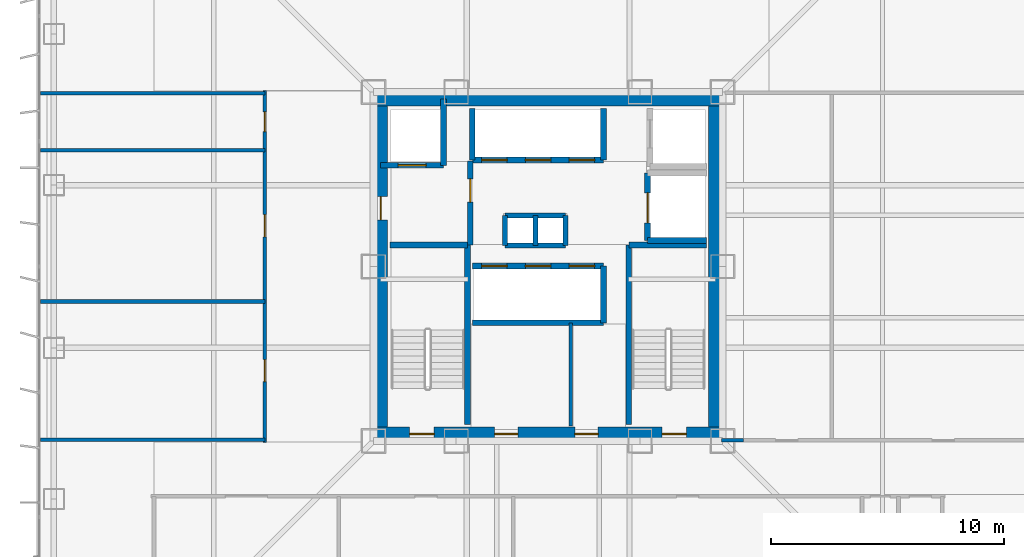
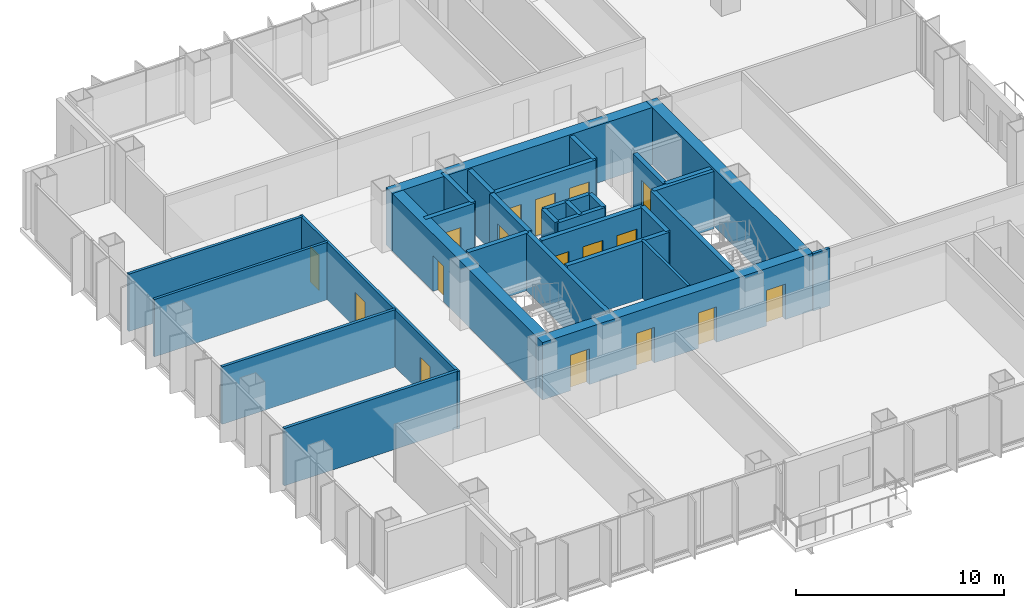
# One storey, part 13 of 18: 31 walls, 17 doors, 17 openings.
"""IFC4 building model written with IfcOpenShell, lengths in metres."""

from ifc_helpers import new_model, si_unit, direction, frame, frame_2d, origin, place, context, subcontext, project, spatial, rectangle, extrude, material, layer, layer_set, type_object, element, fill, save


model = new_model("IFC4")

# Units and contexts
model_context = context("Model", 3, precision=1e-05, world=origin(), true_north=direction((0.0, 1.0)))
body_context = subcontext(model_context, "Body", "Model", "MODEL_VIEW")
ifc_project = project(units=[si_unit("LENGTHUNIT", "METRE"), si_unit("AREAUNIT", "SQUARE_METRE"), si_unit("VOLUMEUNIT", "CUBIC_METRE"), si_unit("PLANEANGLEUNIT", "RADIAN"), si_unit("MASSUNIT", "GRAM", prefix="KILO")], contexts=[model_context])

# Site, building, storey
site_placement = place(None, origin())
site = spatial("IfcSite", under=ifc_project, at=site_placement, CompositionType="ELEMENT")
building_placement = place(site_placement, origin())
building = spatial("IfcBuilding", under=site, at=building_placement, Name="Trevonay Congress Spire", CompositionType="ELEMENT")
storey_placement = place(building_placement, frame((0.0, 0.0, 104.800048828125)))
storey = spatial("IfcBuildingStorey", under=building, at=storey_placement, Name="L26", CompositionType="ELEMENT", Elevation=104.800048828125)

# Wall, openings, doors
ifc_material_1 = material(Name="Concrete C60/75", Category="concrete")
ifc_layer_1 = layer(ifc_material_1, 0.60009765625, Name="Concrete C60/75")
ifc_layer_set_1 = layer_set([ifc_layer_1], Name="Concrete C60/75")
wall_type_1 = type_object("IfcWallType", Name="WAL-CORE-600", PredefinedType="SHEAR", material=ifc_layer_set_1)
wall_1_placement = place(storey_placement, frame((-7.5, -7.199951171875, 0.0), z_axis=(0.0, 0.0, 1.0), x_axis=(1.0, 0.0, 0.0)))
wall_1 = element("IfcWall", 1, at=wall_1_placement, inside=storey, type_object=wall_type_1, Name="L26 South structural core shear wall", PredefinedType="SHEAR", context=body_context, shape_type="SweptSolid", body=[
    extrude(rectangle(XDim=15.0, YDim=0.60009765625, at=frame_2d((7.5, 0.0))), origin(), (0.0, 0.0, 1.0), 3.35986328125),
])
opening_1_placement = place(wall_1_placement, frame((1.550048828125, 0.0, 0.0)))
opening_1 = element("IfcOpeningElement", 2, at=opening_1_placement, cuts=wall_1, Name="Opening D05", PredefinedType="OPENING", context=body_context, shape_type="SweptSolid", body=[
    extrude(rectangle(XDim=1.050048828125, YDim=2.080078125, at=frame_2d((0.52490234375, 1.0400390625))), frame((0.0, 0.31005859375, 0.0), z_axis=(0.0, -1.0, 0.0), x_axis=(1.0, 0.0, 0.0)), (0.0, 0.0, 1.0), 0.6201171875),
])
opening_2_placement = place(wall_1_placement, frame((12.39990234375, 0.0, 0.0)))
opening_2 = element("IfcOpeningElement", 3, at=opening_2_placement, cuts=wall_1, Name="Opening D05", PredefinedType="OPENING", context=body_context, shape_type="SweptSolid", body=[
    extrude(rectangle(XDim=1.050048828125, YDim=2.080078125, at=frame_2d((0.52490234375, 1.0400390625))), frame((0.0, 0.31005859375, 0.0), z_axis=(0.0, -1.0, 0.0), x_axis=(1.0, 0.0, 0.0)), (0.0, 0.0, 1.0), 0.6201171875),
])
opening_3_placement = place(wall_1_placement, frame((5.199951171875, 0.0, 0.0)))
opening_3 = element("IfcOpeningElement", 4, at=opening_3_placement, cuts=wall_1, Name="Opening D06", PredefinedType="OPENING", context=body_context, shape_type="SweptSolid", body=[
    extrude(rectangle(XDim=1.0, YDim=2.080078125, at=frame_2d((0.5, 1.0400390625))), frame((0.0, 0.31005859375, 0.0), z_axis=(0.0, -1.0, 0.0), x_axis=(1.0, 0.0, 0.0)), (0.0, 0.0, 1.0), 0.6201171875),
])
opening_4_placement = place(wall_1_placement, frame((8.64990234375, 0.0, 0.0)))
opening_4 = element("IfcOpeningElement", 5, at=opening_4_placement, cuts=wall_1, Name="Opening D06", PredefinedType="OPENING", context=body_context, shape_type="SweptSolid", body=[
    extrude(rectangle(XDim=1.0, YDim=2.080078125, at=frame_2d((0.5, 1.0400390625))), frame((0.0, 0.31005859375, 0.0), z_axis=(0.0, -1.0, 0.0), x_axis=(1.0, 0.0, 0.0)), (0.0, 0.0, 1.0), 0.6201171875),
])
ifc_material_2 = material(Name="Steel ASTM A572 Grade 50", Category="steel")
door_type_1 = type_object("IfcDoorType", Name="DOR-FIRE-100", OperationType="NOTDEFINED", PredefinedType="DOOR", material=ifc_material_2)
door_1_placement = place(opening_3_placement, origin())
door_1 = element("IfcDoor", 6, at=door_1_placement, inside=storey, type_object=door_type_1, Name="L26 South Core Room 1 Door", OperationType="SINGLE_SWING_LEFT", OverallHeight=2.080078125, OverallWidth=1.0, PredefinedType="DOOR", context=body_context, shape_type="SweptSolid", body=[
    extrude(rectangle(XDim=1.0, YDim=2.080078125, at=frame_2d((0.5, 1.0400390625))), frame((0.0, 0.02490234375, 0.0), z_axis=(0.0, -1.0, 0.0), x_axis=(1.0, 0.0, 0.0)), (0.0, 0.0, 1.0), 0.050048828125),
])
fill(opening_3, door_1)
door_2_placement = place(opening_4_placement, origin())
door_2 = element("IfcDoor", 7, at=door_2_placement, inside=storey, type_object=door_type_1, Name="L26 South Core Room 2 Door", OperationType="SINGLE_SWING_RIGHT", OverallHeight=2.080078125, OverallWidth=1.0, PredefinedType="DOOR", context=body_context, shape_type="SweptSolid", body=[
    extrude(rectangle(XDim=1.0, YDim=2.080078125, at=frame_2d((0.5, 1.0400390625))), frame((0.0, 0.02490234375, 0.0), z_axis=(0.0, -1.0, 0.0), x_axis=(1.0, 0.0, 0.0)), (0.0, 0.0, 1.0), 0.050048828125),
])
fill(opening_4, door_2)
door_type_2 = type_object("IfcDoorType", Name="DOR-STAIR-110", OperationType="NOTDEFINED", PredefinedType="DOOR", material=ifc_material_2)
door_3_placement = place(opening_1_placement, origin())
door_3 = element("IfcDoor", 8, at=door_3_placement, inside=storey, type_object=door_type_2, Name="L26 Protected Stair ST-1 Door", OperationType="SINGLE_SWING_RIGHT", OverallHeight=2.080078125, OverallWidth=1.050048828125, PredefinedType="DOOR", context=body_context, shape_type="SweptSolid", body=[
    extrude(rectangle(XDim=1.050048828125, YDim=2.080078125, at=frame_2d((0.52490234375, 1.0400390625))), frame((0.0, 0.02490234375, 0.0), z_axis=(0.0, -1.0, 0.0), x_axis=(1.0, 0.0, 0.0)), (0.0, 0.0, 1.0), 0.050048828125),
])
fill(opening_1, door_3)
door_4_placement = place(opening_2_placement, origin())
door_4 = element("IfcDoor", 9, at=door_4_placement, inside=storey, type_object=door_type_2, Name="L26 Protected Stair ST-2 Door", OperationType="SINGLE_SWING_LEFT", OverallHeight=2.080078125, OverallWidth=1.050048828125, PredefinedType="DOOR", context=body_context, shape_type="SweptSolid", body=[
    extrude(rectangle(XDim=1.050048828125, YDim=2.080078125, at=frame_2d((0.52490234375, 1.0400390625))), frame((0.0, 0.02490234375, 0.0), z_axis=(0.0, -1.0, 0.0), x_axis=(1.0, 0.0, 0.0)), (0.0, 0.0, 1.0), 0.050048828125),
])
fill(opening_2, door_4)

# Wall
wall_2_placement = place(storey_placement, frame((-7.5, 7.199951171875, 0.0), z_axis=(0.0, 0.0, 1.0), x_axis=(1.0, 0.0, 0.0)))
element("IfcWall", 10, at=wall_2_placement, inside=storey, type_object=wall_type_1, Name="L26 North structural core shear wall", PredefinedType="SHEAR", context=body_context, shape_type="SweptSolid", body=[
    extrude(rectangle(XDim=15.0, YDim=0.60009765625, at=frame_2d((7.5, 0.0))), origin(), (0.0, 0.0, 1.0), 3.35986328125),
])

# Wall, opening, door
wall_3_placement = place(storey_placement, frame((-7.199951171875, -7.5, 0.0), z_axis=(0.0, 0.0, 1.0), x_axis=(0.0, 1.0, 0.0)))
wall_3 = element("IfcWall", 11, at=wall_3_placement, inside=storey, type_object=wall_type_1, Name="L26 West structural core shear wall", PredefinedType="SHEAR", context=body_context, shape_type="SweptSolid", body=[
    extrude(rectangle(XDim=15.0, YDim=0.60009765625, at=frame_2d((7.5, 0.0))), origin(), (0.0, 0.0, 1.0), 3.35986328125),
])
opening_5_placement = place(wall_3_placement, frame((9.5, 0.0, 0.0)))
opening_5 = element("IfcOpeningElement", 12, at=opening_5_placement, cuts=wall_3, Name="Opening D06", PredefinedType="OPENING", context=body_context, shape_type="SweptSolid", body=[
    extrude(rectangle(XDim=1.0, YDim=2.080078125, at=frame_2d((0.5, 1.0400390625))), frame((0.0, 0.31005859375, 0.0), z_axis=(0.0, -1.0, 0.0), x_axis=(1.0, 0.0, 0.0)), (0.0, 0.0, 1.0), 0.6201171875),
])
door_5_placement = place(opening_5_placement, origin())
door_5 = element("IfcDoor", 13, at=door_5_placement, inside=storey, type_object=door_type_1, Name="L26 Firefighting Lift Lobby West Corridor Door", OperationType="SINGLE_SWING_RIGHT", OverallHeight=2.080078125, OverallWidth=1.0, PredefinedType="DOOR", context=body_context, shape_type="SweptSolid", body=[
    extrude(rectangle(XDim=1.0, YDim=2.080078125, at=frame_2d((0.5, 1.0400390625))), frame((0.0, 0.02490234375, 0.0), z_axis=(0.0, -1.0, 0.0), x_axis=(1.0, 0.0, 0.0)), (0.0, 0.0, 1.0), 0.050048828125),
])
fill(opening_5, door_5)

# Wall
wall_4_placement = place(storey_placement, frame((7.199951171875, -7.5, 0.0), z_axis=(0.0, 0.0, 1.0), x_axis=(0.0, 1.0, 0.0)))
element("IfcWall", 14, at=wall_4_placement, inside=storey, type_object=wall_type_1, Name="L26 East structural core shear wall", PredefinedType="SHEAR", context=body_context, shape_type="SweptSolid", body=[
    extrude(rectangle(XDim=15.0, YDim=0.60009765625, at=frame_2d((7.5, 0.0))), origin(), (0.0, 0.0, 1.0), 3.35986328125),
])

# Wall, openings, doors
ifc_material_3 = material(Name="Concrete C40/50", Category="concrete")
ifc_layer_2 = layer(ifc_material_3, 0.14990234375, Name="Concrete C40/50")
ifc_layer_set_2 = layer_set([ifc_layer_2], Name="Concrete C40/50")
wall_type_2 = type_object("IfcWallType", Name="WAL-CORR-150", PredefinedType="PARTITIONING", material=ifc_layer_set_2)
wall_5_placement = place(storey_placement, frame((-12.179931640625, -7.570068359375, 0.0), z_axis=(0.0, 0.0, 1.0), x_axis=(0.0, 1.0, 0.0)))
wall_5 = element("IfcWall", 15, at=wall_5_placement, inside=storey, type_object=wall_type_2, Name="L26 interior wall WP-L26W-COR", PredefinedType="PARTITIONING", context=body_context, shape_type="SweptSolid", body=[
    extrude(rectangle(XDim=15.14013671875, YDim=0.14990234375, at=frame_2d((7.570068359375, 0.0))), origin(), (0.0, 0.0, 1.0), 3.35986328125),
])
opening_6_placement = place(wall_5_placement, frame((2.6201171875, 0.0, 0.0)))
opening_6 = element("IfcOpeningElement", 16, at=opening_6_placement, cuts=wall_5, Name="Opening D07", PredefinedType="OPENING", context=body_context, shape_type="SweptSolid", body=[
    extrude(rectangle(XDim=0.949951171875, YDim=2.06005859375, at=frame_2d((0.47509765625, 1.030029296875))), frame((0.0, 0.0849609375, 0.0), z_axis=(0.0, -1.0, 0.0), x_axis=(1.0, 0.0, 0.0)), (0.0, 0.0, 1.0), 0.169921875),
])
opening_7_placement = place(wall_5_placement, frame((8.844970703125, 0.0, 0.0)))
opening_7 = element("IfcOpeningElement", 17, at=opening_7_placement, cuts=wall_5, Name="Opening D07", PredefinedType="OPENING", context=body_context, shape_type="SweptSolid", body=[
    extrude(rectangle(XDim=0.949951171875, YDim=2.06005859375, at=frame_2d((0.47509765625, 1.030029296875))), frame((0.0, 0.0849609375, 0.0), z_axis=(0.0, -1.0, 0.0), x_axis=(1.0, 0.0, 0.0)), (0.0, 0.0, 1.0), 0.169921875),
])
opening_8_placement = place(wall_5_placement, frame((13.3701171875, 0.0, 0.0)))
opening_8 = element("IfcOpeningElement", 18, at=opening_8_placement, cuts=wall_5, Name="Opening D10", PredefinedType="OPENING", context=body_context, shape_type="SweptSolid", body=[
    extrude(rectangle(XDim=0.85009765625, YDim=2.050048828125, at=frame_2d((0.425048828125, 1.02490234375))), frame((0.0, 0.0849609375, 0.0), z_axis=(0.0, -1.0, 0.0), x_axis=(1.0, 0.0, 0.0)), (0.0, 0.0, 1.0), 0.169921875),
])
ifc_material_4 = material(Name="Pale Anodised Aluminium EN AW-6063-T6", Category="aluminium")
door_type_3 = type_object("IfcDoorType", Name="DOR-OFFICE-95", OperationType="NOTDEFINED", PredefinedType="DOOR", material=ifc_material_4)
door_6_placement = place(opening_6_placement, origin())
door_6 = element("IfcDoor", 19, at=door_6_placement, inside=storey, type_object=door_type_3, Name="L26 Delegation Caucus Room West Door", OperationType="SINGLE_SWING_RIGHT", OverallHeight=2.06005859375, OverallWidth=0.949951171875, PredefinedType="DOOR", context=body_context, shape_type="SweptSolid", body=[
    extrude(rectangle(XDim=0.949951171875, YDim=2.06005859375, at=frame_2d((0.47509765625, 1.030029296875))), frame((0.0, 0.02490234375, 0.0), z_axis=(0.0, -1.0, 0.0), x_axis=(1.0, 0.0, 0.0)), (0.0, 0.0, 1.0), 0.050048828125),
])
fill(opening_6, door_6)
door_7_placement = place(opening_7_placement, origin())
door_7 = element("IfcDoor", 20, at=door_7_placement, inside=storey, type_object=door_type_3, Name="L26 Rapporteur Drafting Office Door", OperationType="SINGLE_SWING_LEFT", OverallHeight=2.06005859375, OverallWidth=0.949951171875, PredefinedType="DOOR", context=body_context, shape_type="SweptSolid", body=[
    extrude(rectangle(XDim=0.949951171875, YDim=2.06005859375, at=frame_2d((0.47509765625, 1.030029296875))), frame((0.0, 0.02490234375, 0.0), z_axis=(0.0, -1.0, 0.0), x_axis=(1.0, 0.0, 0.0)), (0.0, 0.0, 1.0), 0.050048828125),
])
fill(opening_7, door_7)
door_type_4 = type_object("IfcDoorType", Name="DOR-WC-85", OperationType="NOTDEFINED", PredefinedType="DOOR", material=ifc_material_4)
door_8_placement = place(opening_8_placement, origin())
door_8 = element("IfcDoor", 21, at=door_8_placement, inside=storey, type_object=door_type_4, Name="L26 Male Restroom WC Door", OperationType="SINGLE_SWING_RIGHT", OverallHeight=2.050048828125, OverallWidth=0.85009765625, PredefinedType="DOOR", context=body_context, shape_type="SweptSolid", body=[
    extrude(rectangle(XDim=0.85009765625, YDim=2.050048828125, at=frame_2d((0.425048828125, 1.02490234375))), frame((0.0, 0.02490234375, 0.0), z_axis=(0.0, -1.0, 0.0), x_axis=(1.0, 0.0, 0.0)), (0.0, 0.0, 1.0), 0.050048828125),
])
fill(opening_8, door_8)

# Walls
wall_6_placement = place(storey_placement, frame((7.449951171875, -7.47998046875, 0.0), z_axis=(0.0, 0.0, 1.0), x_axis=(1.0, 0.0, 0.0)))
element("IfcWall", 22, at=wall_6_placement, inside=storey, type_object=wall_type_2, Name="L26 interior wall WP-L26E-STUB", PredefinedType="PARTITIONING", context=body_context, shape_type="SweptSolid", body=[
    extrude(rectangle(XDim=0.949951171875, YDim=0.14990234375, at=frame_2d((0.47509765625, 0.0))), origin(), (0.0, 0.0, 1.0), 3.35986328125),
])
ifc_layer_3 = layer(ifc_material_3, 0.14990234375, Name="Concrete C40/50")
ifc_layer_set_3 = layer_set([ifc_layer_3], Name="Concrete C40/50")
wall_type_3 = type_object("IfcWallType", Name="WAL-PART-150", PredefinedType="PARTITIONING", material=ifc_layer_set_3)
wall_7_placement = place(storey_placement, frame((0.97998046875, -6.85009765625, 0.0), z_axis=(0.0, 0.0, 1.0), x_axis=(0.0, 1.0, 0.0)))
element("IfcWall", 23, at=wall_7_placement, inside=storey, type_object=wall_type_3, Name="L26 interior wall CW-F3-L26", PredefinedType="PARTITIONING", context=body_context, shape_type="SweptSolid", body=[
    extrude(rectangle(XDim=4.420166015625, YDim=0.14990234375, at=frame_2d((2.2099609375, 0.0))), origin(), (0.0, 0.0, 1.0), 3.35986328125),
])
for number, where, z_axis, x_axis, name in (
    (24, (-21.820068359375, 5.0, 0.0), (0.0, 0.0, 1.0), (1.0, 0.0, 0.0), "L26 interior wall WP-L26W-DIV3"),
    (25, (-21.820068359375, 7.449951171875, 0.0), (0.0, 0.0, 1.0), (1.0, 0.0, 0.0), "L26 interior wall WP-L26W-DIV4"),
):
    element("IfcWall", number, at=place(storey_placement, frame(where, z_axis=z_axis, x_axis=x_axis)), inside=storey, type_object=wall_type_3, Name=name, PredefinedType="PARTITIONING", context=body_context, shape_type="SweptSolid", body=[
        extrude(rectangle(XDim=9.64013671875, YDim=0.14990234375, at=frame_2d((4.820068359375, 0.0))), origin(), (0.0, 0.0, 1.0), 3.35986328125),
    ])
ifc_layer_4 = layer(ifc_material_3, 0.219970703125, Name="Concrete C40/50")
ifc_layer_set_4 = layer_set([ifc_layer_4], Name="Concrete C40/50")
wall_type_4 = type_object("IfcWallType", Name="WAL-SHAFT-220", PredefinedType="PARTITIONING", material=ifc_layer_set_4)
for number, where, z_axis, x_axis, name in (
    (26, (-1.85009765625, 2.199951171875, 0.0), (0.0, 0.0, 1.0), (1.0, 0.0, 0.0), "L26 interior shaft wall WSH-L26-RSR-N"),
    (27, (-1.85009765625, 0.89990234375, 0.0), (0.0, 0.0, 1.0), (1.0, 0.0, 0.0), "L26 interior shaft wall WSH-L26-RSR-S"),
):
    element("IfcWall", number, at=place(storey_placement, frame(where, z_axis=z_axis, x_axis=x_axis)), inside=storey, type_object=wall_type_4, Name=name, PredefinedType="PARTITIONING", context=body_context, shape_type="SweptSolid", body=[
        extrude(rectangle(XDim=2.60009765625, YDim=0.219970703125, at=frame_2d((1.300048828125, 0.0))), origin(), (0.0, 0.0, 1.0), 3.35986328125),
    ])
for number, where, z_axis, x_axis, name in (
    (28, (-0.550048828125, 0.89990234375, 0.0), (0.0, 0.0, 1.0), (0.0, 1.0, 0.0), "L26 interior shaft wall WSH-L26-RSR-M"),
    (29, (0.75, 0.89990234375, 0.0), (0.0, 0.0, 1.0), (0.0, 1.0, 0.0), "L26 interior shaft wall WSH-L26-RSR-E"),
    (30, (-1.85009765625, 0.89990234375, 0.0), (0.0, 0.0, 1.0), (0.0, 1.0, 0.0), "L26 interior shaft wall WSH-L26-RSR-W"),
):
    element("IfcWall", number, at=place(storey_placement, frame(where, z_axis=z_axis, x_axis=x_axis)), inside=storey, type_object=wall_type_4, Name=name, PredefinedType="PARTITIONING", context=body_context, shape_type="SweptSolid", body=[
        extrude(rectangle(XDim=1.300048828125, YDim=0.219970703125, at=frame_2d((0.64990234375, 0.0))), origin(), (0.0, 0.0, 1.0), 3.35986328125),
    ])

# Wall, openings, doors
ifc_layer_5 = layer(ifc_material_3, 0.25, Name="Concrete C40/50")
ifc_layer_set_5 = layer_set([ifc_layer_5], Name="Concrete C40/50")
wall_type_5 = type_object("IfcWallType", Name="WAL-SHAFT-250", PredefinedType="SHEAR", material=ifc_layer_set_5)
wall_8_placement = place(storey_placement, frame((-3.260009765625, 0.02001953125, 0.0), z_axis=(0.0, 0.0, 1.0), x_axis=(1.0, 0.0, 0.0)))
wall_8 = element("IfcWall", 31, at=wall_8_placement, inside=storey, type_object=wall_type_5, Name="L26 interior shaft wall WSH-L26-B2-N", PredefinedType="SHEAR", context=body_context, shape_type="SweptSolid", body=[
    extrude(rectangle(XDim=5.639892578125, YDim=0.25, at=frame_2d((2.81982421875, 0.0))), origin(), (0.0, 0.0, 1.0), 3.35986328125),
])
opening_9_placement = place(wall_8_placement, frame((0.39990234375, 0.0, 0.0)))
opening_9 = element("IfcOpeningElement", 32, at=opening_9_placement, cuts=wall_8, Name="Opening LD02", PredefinedType="OPENING", context=body_context, shape_type="SweptSolid", body=[
    extrude(rectangle(XDim=1.10009765625, YDim=2.199951171875, at=frame_2d((0.550048828125, 1.10009765625))), frame((0.0, 0.135009765625, 0.0), z_axis=(0.0, -1.0, 0.0), x_axis=(1.0, 0.0, 0.0)), (0.0, 0.0, 1.0), 0.27001953125),
])
opening_10_placement = place(wall_8_placement, frame((2.280029296875, 0.0, 0.0)))
opening_10 = element("IfcOpeningElement", 33, at=opening_10_placement, cuts=wall_8, Name="Opening LD02", PredefinedType="OPENING", context=body_context, shape_type="SweptSolid", body=[
    extrude(rectangle(XDim=1.10009765625, YDim=2.199951171875, at=frame_2d((0.550048828125, 1.10009765625))), frame((0.0, 0.135009765625, 0.0), z_axis=(0.0, -1.0, 0.0), x_axis=(1.0, 0.0, 0.0)), (0.0, 0.0, 1.0), 0.27001953125),
])
opening_11_placement = place(wall_8_placement, frame((4.159912109375, 0.0, 0.0)))
opening_11 = element("IfcOpeningElement", 34, at=opening_11_placement, cuts=wall_8, Name="Opening LD02", PredefinedType="OPENING", context=body_context, shape_type="SweptSolid", body=[
    extrude(rectangle(XDim=1.10009765625, YDim=2.199951171875, at=frame_2d((0.550048828125, 1.10009765625))), frame((0.0, 0.135009765625, 0.0), z_axis=(0.0, -1.0, 0.0), x_axis=(1.0, 0.0, 0.0)), (0.0, 0.0, 1.0), 0.27001953125),
])
door_type_5 = type_object("IfcDoorType", Name="DOR-LIFT-LD02", OperationType="DOUBLE_DOOR_SLIDING", PredefinedType="DOOR", material=ifc_material_4)
door_9_placement = place(opening_9_placement, origin())
door_9 = element("IfcDoor", 35, at=door_9_placement, inside=storey, type_object=door_type_5, Name="L26 Passenger lift PL-04 landing door", OperationType="DOUBLE_DOOR_SLIDING", OverallHeight=2.199951171875, OverallWidth=1.10009765625, PredefinedType="DOOR", context=body_context, shape_type="SweptSolid", body=[
    extrude(rectangle(XDim=1.10009765625, YDim=2.199951171875, at=frame_2d((0.550048828125, 1.10009765625))), frame((0.0, 0.02490234375, 0.0), z_axis=(0.0, -1.0, 0.0), x_axis=(1.0, 0.0, 0.0)), (0.0, 0.0, 1.0), 0.050048828125),
])
fill(opening_9, door_9)
door_10_placement = place(opening_10_placement, origin())
door_10 = element("IfcDoor", 36, at=door_10_placement, inside=storey, type_object=door_type_5, Name="L26 Passenger lift PL-05 landing door", OperationType="DOUBLE_DOOR_SLIDING", OverallHeight=2.199951171875, OverallWidth=1.10009765625, PredefinedType="DOOR", context=body_context, shape_type="SweptSolid", body=[
    extrude(rectangle(XDim=1.10009765625, YDim=2.199951171875, at=frame_2d((0.550048828125, 1.10009765625))), frame((0.0, 0.02490234375, 0.0), z_axis=(0.0, -1.0, 0.0), x_axis=(1.0, 0.0, 0.0)), (0.0, 0.0, 1.0), 0.050048828125),
])
fill(opening_10, door_10)
door_11_placement = place(opening_11_placement, origin())
door_11 = element("IfcDoor", 37, at=door_11_placement, inside=storey, type_object=door_type_5, Name="L26 Passenger lift PL-06 landing door", OperationType="DOUBLE_DOOR_SLIDING", OverallHeight=2.199951171875, OverallWidth=1.10009765625, PredefinedType="DOOR", context=body_context, shape_type="SweptSolid", body=[
    extrude(rectangle(XDim=1.10009765625, YDim=2.199951171875, at=frame_2d((0.550048828125, 1.10009765625))), frame((0.0, 0.02490234375, 0.0), z_axis=(0.0, -1.0, 0.0), x_axis=(1.0, 0.0, 0.0)), (0.0, 0.0, 1.0), 0.050048828125),
])
fill(opening_11, door_11)

# Walls
wall_9_placement = place(storey_placement, frame((-3.260009765625, -2.419921875, 0.0), z_axis=(0.0, 0.0, 1.0), x_axis=(1.0, 0.0, 0.0)))
element("IfcWall", 38, at=wall_9_placement, inside=storey, type_object=wall_type_5, Name="L26 interior shaft wall WSH-L26-B2-S", PredefinedType="SHEAR", context=body_context, shape_type="SweptSolid", body=[
    extrude(rectangle(XDim=5.639892578125, YDim=0.25, at=frame_2d((2.81982421875, 0.0))), origin(), (0.0, 0.0, 1.0), 3.35986328125),
])
wall_10_placement = place(storey_placement, frame((2.3798828125, -2.419921875, 0.0), z_axis=(0.0, 0.0, 1.0), x_axis=(0.0, 1.0, 0.0)))
element("IfcWall", 39, at=wall_10_placement, inside=storey, type_object=wall_type_5, Name="L26 interior shaft wall WSH-L26-B2-E", PredefinedType="SHEAR", context=body_context, shape_type="SweptSolid", body=[
    extrude(rectangle(XDim=2.43994140625, YDim=0.25, at=frame_2d((1.219970703125, 0.0))), origin(), (0.0, 0.0, 1.0), 3.35986328125),
])

# Wall, openings, doors
wall_11_placement = place(storey_placement, frame((-3.260009765625, 4.580078125, 0.0), z_axis=(0.0, 0.0, 1.0), x_axis=(1.0, 0.0, 0.0)))
wall_11 = element("IfcWall", 40, at=wall_11_placement, inside=storey, type_object=wall_type_5, Name="L26 interior shaft wall WSH-L26-B3-S", PredefinedType="SHEAR", context=body_context, shape_type="SweptSolid", body=[
    extrude(rectangle(XDim=5.639892578125, YDim=0.25, at=frame_2d((2.81982421875, 0.0))), origin(), (0.0, 0.0, 1.0), 3.35986328125),
])
opening_12_placement = place(wall_11_placement, frame((0.39990234375, 0.0, 0.0)))
opening_12 = element("IfcOpeningElement", 41, at=opening_12_placement, cuts=wall_11, Name="Opening LD03", PredefinedType="OPENING", context=body_context, shape_type="SweptSolid", body=[
    extrude(rectangle(XDim=1.10009765625, YDim=2.199951171875, at=frame_2d((0.550048828125, 1.10009765625))), frame((0.0, 0.135009765625, 0.0), z_axis=(0.0, -1.0, 0.0), x_axis=(1.0, 0.0, 0.0)), (0.0, 0.0, 1.0), 0.27001953125),
])
opening_13_placement = place(wall_11_placement, frame((2.280029296875, 0.0, 0.0)))
opening_13 = element("IfcOpeningElement", 42, at=opening_13_placement, cuts=wall_11, Name="Opening LD03", PredefinedType="OPENING", context=body_context, shape_type="SweptSolid", body=[
    extrude(rectangle(XDim=1.10009765625, YDim=2.199951171875, at=frame_2d((0.550048828125, 1.10009765625))), frame((0.0, 0.135009765625, 0.0), z_axis=(0.0, -1.0, 0.0), x_axis=(1.0, 0.0, 0.0)), (0.0, 0.0, 1.0), 0.27001953125),
])
opening_14_placement = place(wall_11_placement, frame((4.159912109375, 0.0, 0.0)))
opening_14 = element("IfcOpeningElement", 43, at=opening_14_placement, cuts=wall_11, Name="Opening LD03", PredefinedType="OPENING", context=body_context, shape_type="SweptSolid", body=[
    extrude(rectangle(XDim=1.10009765625, YDim=2.199951171875, at=frame_2d((0.550048828125, 1.10009765625))), frame((0.0, 0.135009765625, 0.0), z_axis=(0.0, -1.0, 0.0), x_axis=(1.0, 0.0, 0.0)), (0.0, 0.0, 1.0), 0.27001953125),
])
door_type_6 = type_object("IfcDoorType", Name="DOR-LIFT-LD03", OperationType="DOUBLE_DOOR_SLIDING", PredefinedType="DOOR", material=ifc_material_4)
door_12_placement = place(opening_12_placement, origin())
door_12 = element("IfcDoor", 44, at=door_12_placement, inside=storey, type_object=door_type_6, Name="L26 Passenger lift PL-07 landing door", OperationType="DOUBLE_DOOR_SLIDING", OverallHeight=2.199951171875, OverallWidth=1.10009765625, PredefinedType="DOOR", context=body_context, shape_type="SweptSolid", body=[
    extrude(rectangle(XDim=1.10009765625, YDim=2.199951171875, at=frame_2d((0.550048828125, 1.10009765625))), frame((0.0, 0.02490234375, 0.0), z_axis=(0.0, -1.0, 0.0), x_axis=(1.0, 0.0, 0.0)), (0.0, 0.0, 1.0), 0.050048828125),
])
fill(opening_12, door_12)
door_13_placement = place(opening_13_placement, origin())
door_13 = element("IfcDoor", 45, at=door_13_placement, inside=storey, type_object=door_type_6, Name="L26 Passenger lift PL-08 landing door", OperationType="DOUBLE_DOOR_SLIDING", OverallHeight=2.199951171875, OverallWidth=1.10009765625, PredefinedType="DOOR", context=body_context, shape_type="SweptSolid", body=[
    extrude(rectangle(XDim=1.10009765625, YDim=2.199951171875, at=frame_2d((0.550048828125, 1.10009765625))), frame((0.0, 0.02490234375, 0.0), z_axis=(0.0, -1.0, 0.0), x_axis=(1.0, 0.0, 0.0)), (0.0, 0.0, 1.0), 0.050048828125),
])
fill(opening_13, door_13)
door_14_placement = place(opening_14_placement, origin())
door_14 = element("IfcDoor", 46, at=door_14_placement, inside=storey, type_object=door_type_6, Name="L26 Passenger lift PL-09 landing door", OperationType="DOUBLE_DOOR_SLIDING", OverallHeight=2.199951171875, OverallWidth=1.10009765625, PredefinedType="DOOR", context=body_context, shape_type="SweptSolid", body=[
    extrude(rectangle(XDim=1.10009765625, YDim=2.199951171875, at=frame_2d((0.550048828125, 1.10009765625))), frame((0.0, 0.02490234375, 0.0), z_axis=(0.0, -1.0, 0.0), x_axis=(1.0, 0.0, 0.0)), (0.0, 0.0, 1.0), 0.050048828125),
])
fill(opening_14, door_14)

# Walls
for number, where, z_axis, x_axis, name in (
    (47, (-3.260009765625, 4.580078125, 0.0), (0.0, 0.0, 1.0), (0.0, 1.0, 0.0), "L26 interior shaft wall WSH-L26-B3-W"),
    (48, (2.3798828125, 4.580078125, 0.0), (0.0, 0.0, 1.0), (0.0, 1.0, 0.0), "L26 interior shaft wall WSH-L26-B3-E"),
):
    element("IfcWall", number, at=place(storey_placement, frame(where, z_axis=z_axis, x_axis=x_axis)), inside=storey, type_object=wall_type_5, Name=name, PredefinedType="SHEAR", context=body_context, shape_type="SweptSolid", body=[
        extrude(rectangle(XDim=2.219970703125, YDim=0.25, at=frame_2d((1.10986328125, 0.0))), origin(), (0.0, 0.0, 1.0), 3.35986328125),
    ])

# Wall, opening, door
wall_12_placement = place(storey_placement, frame((-7.199951171875, 4.35009765625, 0.0), z_axis=(0.0, 0.0, 1.0), x_axis=(1.0, 0.0, 0.0)))
wall_12 = element("IfcWall", 49, at=wall_12_placement, inside=storey, type_object=wall_type_5, Name="L26 interior shaft wall WSH-L26-FF1-S", PredefinedType="SHEAR", context=body_context, shape_type="SweptSolid", body=[
    extrude(rectangle(XDim=2.699951171875, YDim=0.25, at=frame_2d((1.35009765625, 0.0))), origin(), (0.0, 0.0, 1.0), 3.35986328125),
])
opening_15_placement = place(wall_12_placement, frame((0.75, 0.0, 0.0)))
opening_15 = element("IfcOpeningElement", 50, at=opening_15_placement, cuts=wall_12, Name="Opening LD04", PredefinedType="OPENING", context=body_context, shape_type="SweptSolid", body=[
    extrude(rectangle(XDim=1.199951171875, YDim=2.199951171875, at=frame_2d((0.60009765625, 1.10009765625))), frame((0.0, 0.135009765625, 0.0), z_axis=(0.0, -1.0, 0.0), x_axis=(1.0, 0.0, 0.0)), (0.0, 0.0, 1.0), 0.27001953125),
])
door_type_7 = type_object("IfcDoorType", Name="DOR-LIFT-LD04", OperationType="DOUBLE_DOOR_SLIDING", PredefinedType="DOOR", material=ifc_material_2)
door_15_placement = place(opening_15_placement, origin())
door_15 = element("IfcDoor", 51, at=door_15_placement, inside=storey, type_object=door_type_7, Name="L26 Firefighting lift FFL-01 landing door", OperationType="DOUBLE_DOOR_SLIDING", OverallHeight=2.199951171875, OverallWidth=1.199951171875, PredefinedType="DOOR", context=body_context, shape_type="SweptSolid", body=[
    extrude(rectangle(XDim=1.199951171875, YDim=2.199951171875, at=frame_2d((0.60009765625, 1.10009765625))), frame((0.0, 0.02490234375, 0.0), z_axis=(0.0, -1.0, 0.0), x_axis=(1.0, 0.0, 0.0)), (0.0, 0.0, 1.0), 0.050048828125),
])
fill(opening_15, door_15)

# Wall
wall_13_placement = place(storey_placement, frame((-4.5, 4.35009765625, 0.0), z_axis=(0.0, 0.0, 1.0), x_axis=(0.0, 1.0, 0.0)))
element("IfcWall", 52, at=wall_13_placement, inside=storey, type_object=wall_type_5, Name="L26 interior shaft wall WSH-L26-FF1-E", PredefinedType="SHEAR", context=body_context, shape_type="SweptSolid", body=[
    extrude(rectangle(XDim=2.849853515625, YDim=0.25, at=frame_2d((1.4248046875, 0.0))), origin(), (0.0, 0.0, 1.0), 3.35986328125),
])

# Wall, opening, door
wall_14_placement = place(storey_placement, frame((4.280029296875, 1.1201171875, 0.0), z_axis=(0.0, 0.0, 1.0), x_axis=(0.0, 1.0, 0.0)))
wall_14 = element("IfcWall", 53, at=wall_14_placement, inside=storey, type_object=wall_type_5, Name="L26 interior shaft wall WSH-L26-SV-W", PredefinedType="SHEAR", context=body_context, shape_type="SweptSolid", body=[
    extrude(rectangle(XDim=2.89990234375, YDim=0.25, at=frame_2d((1.449951171875, 0.0))), origin(), (0.0, 0.0, 1.0), 3.35986328125),
])
opening_16_placement = place(wall_14_placement, frame((0.75, 0.0, 0.0)))
opening_16 = element("IfcOpeningElement", 54, at=opening_16_placement, cuts=wall_14, Name="Opening LD05", PredefinedType="OPENING", context=body_context, shape_type="SweptSolid", body=[
    extrude(rectangle(XDim=1.300048828125, YDim=2.300048828125, at=frame_2d((0.64990234375, 1.14990234375))), frame((0.0, 0.135009765625, 0.0), z_axis=(0.0, -1.0, 0.0), x_axis=(1.0, 0.0, 0.0)), (0.0, 0.0, 1.0), 0.27001953125),
])
door_type_8 = type_object("IfcDoorType", Name="DOR-LIFT-LD05", OperationType="DOUBLE_DOOR_SLIDING", PredefinedType="DOOR", material=ifc_material_2)
door_16_placement = place(opening_16_placement, origin())
door_16 = element("IfcDoor", 55, at=door_16_placement, inside=storey, type_object=door_type_8, Name="L26 Goods lift SVL-01 landing door", OperationType="DOUBLE_DOOR_SLIDING", OverallHeight=2.300048828125, OverallWidth=1.300048828125, PredefinedType="DOOR", context=body_context, shape_type="SweptSolid", body=[
    extrude(rectangle(XDim=1.300048828125, YDim=2.300048828125, at=frame_2d((0.64990234375, 1.14990234375))), frame((0.0, 0.02490234375, 0.0), z_axis=(0.0, -1.0, 0.0), x_axis=(1.0, 0.0, 0.0)), (0.0, 0.0, 1.0), 0.050048828125),
])
fill(opening_16, door_16)

# Wall
wall_15_placement = place(storey_placement, frame((4.280029296875, 1.1201171875, 0.0), z_axis=(0.0, 0.0, 1.0), x_axis=(1.0, 0.0, 0.0)))
element("IfcWall", 56, at=wall_15_placement, inside=storey, type_object=wall_type_5, Name="L26 interior shaft wall WSH-L26-SV-S", PredefinedType="SHEAR", context=body_context, shape_type="SweptSolid", body=[
    extrude(rectangle(XDim=2.52001953125, YDim=0.25, at=frame_2d((1.260009765625, 0.0))), origin(), (0.0, 0.0, 1.0), 3.35986328125),
])

# Wall, opening, door
wall_16_placement = place(storey_placement, frame((-3.35009765625, 0.919921875, 0.0), z_axis=(0.0, 0.0, 1.0), x_axis=(0.0, 1.0, 0.0)))
wall_16 = element("IfcWall", 57, at=wall_16_placement, inside=storey, type_object=wall_type_5, Name="L26 interior wall CW-FFLW-E-L26", PredefinedType="SHEAR", context=body_context, shape_type="SweptSolid", body=[
    extrude(rectangle(XDim=3.6201171875, YDim=0.25, at=frame_2d((1.81005859375, 0.0))), origin(), (0.0, 0.0, 1.0), 3.35986328125),
])
opening_17_placement = place(wall_16_placement, frame((1.85009765625, 0.0, 0.0)))
opening_17 = element("IfcOpeningElement", 58, at=opening_17_placement, cuts=wall_16, Name="Opening D06", PredefinedType="OPENING", context=body_context, shape_type="SweptSolid", body=[
    extrude(rectangle(XDim=1.0, YDim=2.080078125, at=frame_2d((0.5, 1.0400390625))), frame((0.0, 0.135009765625, 0.0), z_axis=(0.0, -1.0, 0.0), x_axis=(1.0, 0.0, 0.0)), (0.0, 0.0, 1.0), 0.27001953125),
])
door_17_placement = place(opening_17_placement, origin())
door_17 = element("IfcDoor", 59, at=door_17_placement, inside=storey, type_object=door_type_1, Name="L26 Firefighting Core Lobby Transfer Door", OperationType="SINGLE_SWING_LEFT", OverallHeight=2.080078125, OverallWidth=1.0, PredefinedType="DOOR", context=body_context, shape_type="SweptSolid", body=[
    extrude(rectangle(XDim=1.0, YDim=2.080078125, at=frame_2d((0.5, 1.0400390625))), frame((0.0, 0.02490234375, 0.0), z_axis=(0.0, -1.0, 0.0), x_axis=(1.0, 0.0, 0.0)), (0.0, 0.0, 1.0), 0.050048828125),
])
fill(opening_17, door_17)

# Walls
ifc_layer_6 = layer(ifc_material_3, 0.25, Name="Concrete C40/50")
ifc_layer_set_6 = layer_set([ifc_layer_6], Name="Concrete C40/50")
wall_type_6 = type_object("IfcWallType", Name="WAL-SHAFT-LB-250", PredefinedType="SHEAR", material=ifc_layer_set_6)
wall_17_placement = place(storey_placement, frame((-3.469970703125, -6.800048828125, 0.0), z_axis=(0.0, 0.0, 1.0), x_axis=(0.0, 1.0, 0.0)))
element("IfcWall", 60, at=wall_17_placement, inside=storey, type_object=wall_type_6, Name="L26 interior shaft wall WSH-L26-ST1-E", PredefinedType="SHEAR", context=body_context, shape_type="SweptSolid", body=[
    extrude(rectangle(XDim=7.719970703125, YDim=0.25, at=frame_2d((3.85986328125, 0.0))), origin(), (0.0, 0.0, 1.0), 3.35986328125),
])
wall_18_placement = place(storey_placement, frame((-6.800048828125, 0.919921875, 0.0), z_axis=(0.0, 0.0, 1.0), x_axis=(1.0, 0.0, 0.0)))
element("IfcWall", 61, at=wall_18_placement, inside=storey, type_object=wall_type_6, Name="L26 interior shaft wall WSH-L26-ST1-N", PredefinedType="SHEAR", context=body_context, shape_type="SweptSolid", body=[
    extrude(rectangle(XDim=3.330078125, YDim=0.25, at=frame_2d((1.6650390625, 0.0))), origin(), (0.0, 0.0, 1.0), 3.35986328125),
])
wall_19_placement = place(storey_placement, frame((3.469970703125, -6.800048828125, 0.0), z_axis=(0.0, 0.0, 1.0), x_axis=(0.0, 1.0, 0.0)))
element("IfcWall", 62, at=wall_19_placement, inside=storey, type_object=wall_type_6, Name="L26 interior shaft wall WSH-L26-ST2-W", PredefinedType="SHEAR", context=body_context, shape_type="SweptSolid", body=[
    extrude(rectangle(XDim=7.719970703125, YDim=0.25, at=frame_2d((3.85986328125, 0.0))), origin(), (0.0, 0.0, 1.0), 3.35986328125),
])
wall_20_placement = place(storey_placement, frame((3.469970703125, 0.919921875, 0.0), z_axis=(0.0, 0.0, 1.0), x_axis=(1.0, 0.0, 0.0)))
element("IfcWall", 63, at=wall_20_placement, inside=storey, type_object=wall_type_6, Name="L26 interior shaft wall WSH-L26-ST2-N", PredefinedType="SHEAR", context=body_context, shape_type="SweptSolid", body=[
    extrude(rectangle(XDim=3.330078125, YDim=0.25, at=frame_2d((1.6650390625, 0.0))), origin(), (0.0, 0.0, 1.0), 3.35986328125),
])
ifc_layer_7 = layer(ifc_material_3, 0.1650390625, Name="Concrete C40/50")
ifc_layer_set_7 = layer_set([ifc_layer_7], Name="Concrete C40/50")
wall_type_7 = type_object("IfcWallType", Name="WAL-WET-165", PredefinedType="PLUMBINGWALL", material=ifc_layer_set_7)
for number, where, z_axis, x_axis, name in (
    (64, (-21.820068359375, -7.449951171875, 0.0), (0.0, 0.0, 1.0), (1.0, 0.0, 0.0), "L26 interior wall WP-L26W-DIV1"),
    (65, (-21.820068359375, -1.5, 0.0), (0.0, 0.0, 1.0), (1.0, 0.0, 0.0), "L26 interior wall WP-L26W-DIV2"),
):
    element("IfcWall", number, at=place(storey_placement, frame(where, z_axis=z_axis, x_axis=x_axis)), inside=storey, type_object=wall_type_7, Name=name, PredefinedType="PLUMBINGWALL", context=body_context, shape_type="SweptSolid", body=[
        extrude(rectangle(XDim=9.64013671875, YDim=0.1650390625, at=frame_2d((4.820068359375, 0.0))), origin(), (0.0, 0.0, 1.0), 3.35986328125),
    ])

save(model, "model.ifc")
